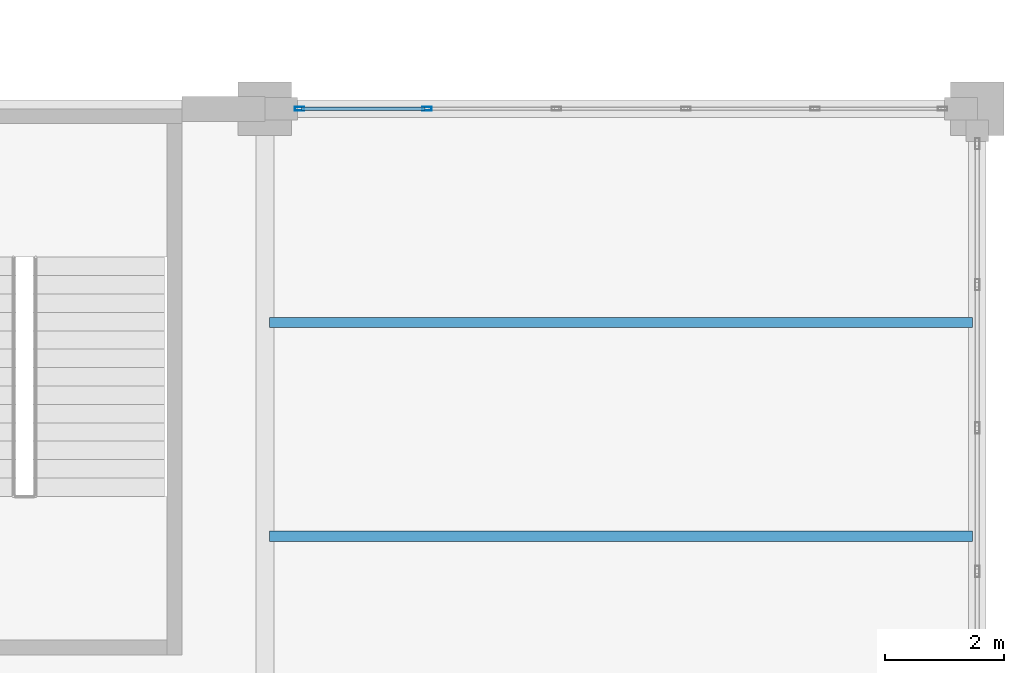
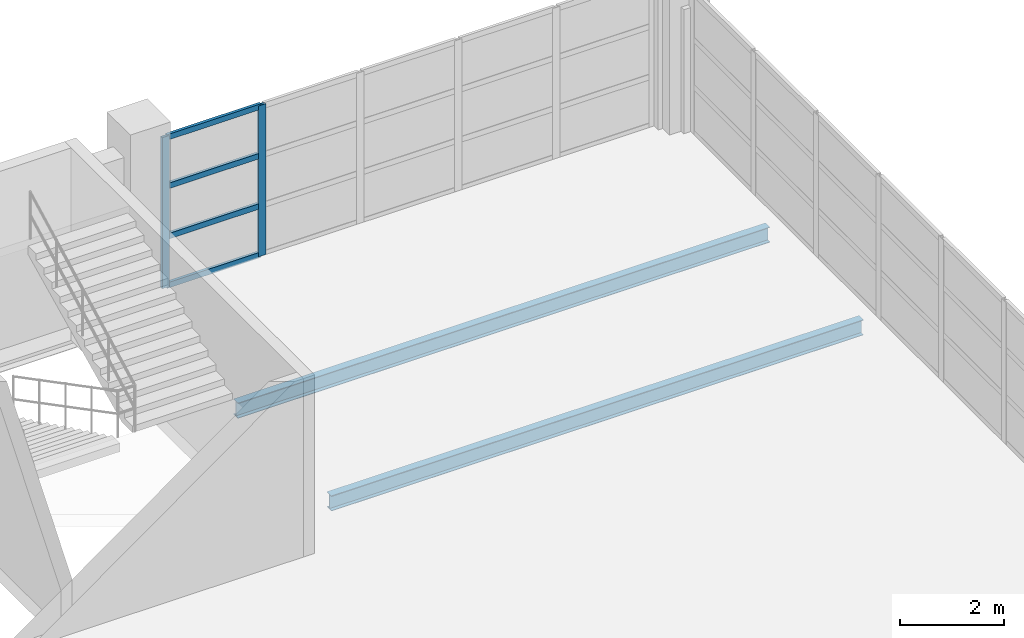
# One storey, part 122 of 158: 6 members, 2 beams, 1 element without a shape of its own.
"""IFC4 building model written with IfcOpenShell, lengths in metres."""

from ifc_helpers import new_model, si_unit, direction, frame, origin, origin_2d, place, context, subcontext, project, spatial, hollow_rectangle, i_section, extrude, material, layer, layer_set, material_profile, profile_set, type_object, element, aggregate, save


model = new_model("IFC4")

# Units and contexts
model_context = context("Model", 3, precision=1e-05, world=origin(), true_north=direction((0.0, 1.0)))
body_context = subcontext(model_context, "Body", "Model", "MODEL_VIEW")
ifc_project = project(units=[si_unit("LENGTHUNIT", "METRE"), si_unit("AREAUNIT", "SQUARE_METRE"), si_unit("VOLUMEUNIT", "CUBIC_METRE"), si_unit("PLANEANGLEUNIT", "RADIAN"), si_unit("MASSUNIT", "GRAM", prefix="KILO")], contexts=[model_context])

# Site, building, storey
site_placement = place(None, origin())
site = spatial("IfcSite", under=ifc_project, at=site_placement, CompositionType="ELEMENT")
building_placement = place(site_placement, origin())
building = spatial("IfcBuilding", under=site, at=building_placement, Name="Zilviju Railside Exhibition Hall", CompositionType="ELEMENT")
storey_placement = place(building_placement, frame((0.0, 0.0, 4.199951171875)))
storey = spatial("IfcBuildingStorey", under=building, at=storey_placement, Name="L02", CompositionType="ELEMENT", Elevation=4.199951171875)

# Beams
ifc_material_1 = material(Name="Steel S355J2", Category="steel")
ifc_material_profile_1 = material_profile(ifc_material_1, i_section(OverallWidth=0.169921875, OverallDepth=0.360107421875, WebThickness=0.008056640625, FlangeThickness=0.0126953125, at=origin_2d()), Name="IPE 360")
ifc_profile_set_1 = profile_set([ifc_material_profile_1], Name="Steel S355J2")
beam_type = type_object("IfcBeamType", Name="BM-IPE360", PredefinedType="JOIST", material=ifc_profile_set_1)
for number, where, z_axis, x_axis, name in (
    (1, (204.080078125, 130.800048828125, -0.510009765625), (1.0, 0.0, 0.0), (0.0, 1.0, 0.0), "Composite Floor Joist L02 Y=130.80 (204.0..216.0)"),
    (2, (204.080078125, 134.39990234375, -0.510009765625), (1.0, 0.0, 0.0), (0.0, 1.0, 0.0), "Composite Floor Joist L02 Y=134.40 (204.0..216.0)"),
):
    element("IfcBeam", number, at=place(storey_placement, frame(where, z_axis=z_axis, x_axis=x_axis)), inside=storey, type_object=beam_type, Name=name, PredefinedType="JOIST", context=body_context, shape_type="SweptSolid", body=[
        extrude(i_section(OverallWidth=0.169921875, OverallDepth=0.360107421875, WebThickness=0.008056640625, FlangeThickness=0.0126953125, at=origin_2d()), origin(), (0.0, 0.0, 1.0), 11.83984375),
    ])

# Curtain wall, members
ifc_material_2 = material(Name="Thermally broken aluminium-steel triple-glazed curtain wall", Category="steel")
ifc_layer = layer(ifc_material_2, 0.179931640625)
ifc_layer_set = layer_set([ifc_layer], Name="Thermally broken aluminium-steel triple-glazed curtain wall")
curtain_wall_type = type_object("IfcCurtainWallType", Name="CW-BAY-14", PredefinedType="USERDEFINED", material=ifc_layer_set)
curtain_wall_placement = place(storey_placement, origin())
curtain_wall = element("IfcCurtainWall", 3, at=curtain_wall_placement, inside=storey, type_object=curtain_wall_type, Name="North Hall Clerestory Curtain Wall L02 (204..216)", ObjectType="GLAZED CURTAIN WALL", PredefinedType="USERDEFINED")
ifc_material_3 = material(Name="Thermally broken anodized aluminium mullion", Category="aluminium")
ifc_material_profile_2 = material_profile(ifc_material_3, hollow_rectangle(XDim=0.06494140625, YDim=0.159912109375, WallThickness=0.0048828125, at=origin_2d()), Name="MULLION 160x65x5")
ifc_profile_set_2 = profile_set([ifc_material_profile_2], Name="Thermally broken anodized aluminium mullion")
member_type_1 = type_object("IfcMemberType", Name="CWM-65x160", PredefinedType="MULLION", material=ifc_profile_set_2)
member_1_placement = place(storey_placement, frame((204.58251953125, 138.0, 0.0), z_axis=(0.0, 0.0, 1.0), x_axis=(0.0, 1.0, 0.0)))
member_1 = element("IfcMember", 4, at=member_1_placement, type_object=member_type_1, Name="CW-14 mullion 1", PredefinedType="MULLION", context=body_context, shape_type="SweptSolid", body=[
    extrude(hollow_rectangle(XDim=0.06494140625, YDim=0.159912109375, WallThickness=0.0048828125, at=origin_2d()), origin(), (0.0, 0.0, 1.0), 3.550048828125),
])
member_2_placement = place(storey_placement, frame((206.72998046875, 138.0, 0.0), z_axis=(0.0, 0.0, 1.0), x_axis=(0.0, 1.0, 0.0)))
member_2 = element("IfcMember", 5, at=member_2_placement, type_object=member_type_1, Name="CW-14 mullion 2", PredefinedType="MULLION", context=body_context, shape_type="SweptSolid", body=[
    extrude(hollow_rectangle(XDim=0.06494140625, YDim=0.159912109375, WallThickness=0.0048828125, at=origin_2d()), origin(), (0.0, 0.0, 1.0), 3.550048828125),
])
ifc_material_4 = material(Name="Thermally broken anodized aluminium transom", Category="aluminium")
ifc_material_profile_3 = material_profile(ifc_material_4, hollow_rectangle(XDim=0.06494140625, YDim=0.1298828125, WallThickness=0.0048828125, at=origin_2d()), Name="TRANSOM 130x65x5")
ifc_profile_set_3 = profile_set([ifc_material_profile_3], Name="Thermally broken anodized aluminium transom")
member_type_2 = type_object("IfcMemberType", Name="CWT-65x130", PredefinedType="USERDEFINED", material=ifc_profile_set_3)
member_3_placement = place(storey_placement, frame((204.614990234375, 138.0, 0.032470703125), z_axis=(1.0, 0.0, 0.0), x_axis=(0.0, 1.0, 0.0)))
member_3 = element("IfcMember", 6, at=member_3_placement, type_object=member_type_2, Name="CW-14 transom 1.1", ObjectType="TRANSOM", PredefinedType="USERDEFINED", context=body_context, shape_type="SweptSolid", body=[
    extrude(hollow_rectangle(XDim=0.06494140625, YDim=0.1298828125, WallThickness=0.0048828125, at=origin_2d()), origin(), (0.0, 0.0, 1.0), 2.08251953125),
])
member_4_placement = place(storey_placement, frame((204.614990234375, 138.0, 1.18310546875), z_axis=(1.0, 0.0, 0.0), x_axis=(0.0, 1.0, 0.0)))
member_4 = element("IfcMember", 7, at=member_4_placement, type_object=member_type_2, Name="CW-14 transom 1.2", ObjectType="TRANSOM", PredefinedType="USERDEFINED", context=body_context, shape_type="SweptSolid", body=[
    extrude(hollow_rectangle(XDim=0.06494140625, YDim=0.1298828125, WallThickness=0.0048828125, at=origin_2d()), origin(), (0.0, 0.0, 1.0), 2.08251953125),
])
member_5_placement = place(storey_placement, frame((204.614990234375, 138.0, 2.366943359375), z_axis=(1.0, 0.0, 0.0), x_axis=(0.0, 1.0, 0.0)))
member_5 = element("IfcMember", 8, at=member_5_placement, type_object=member_type_2, Name="CW-14 transom 1.3", ObjectType="TRANSOM", PredefinedType="USERDEFINED", context=body_context, shape_type="SweptSolid", body=[
    extrude(hollow_rectangle(XDim=0.06494140625, YDim=0.1298828125, WallThickness=0.0048828125, at=origin_2d()), origin(), (0.0, 0.0, 1.0), 2.08251953125),
])
member_6_placement = place(storey_placement, frame((204.614990234375, 138.0, 3.517578125), z_axis=(1.0, 0.0, 0.0), x_axis=(0.0, 1.0, 0.0)))
member_6 = element("IfcMember", 9, at=member_6_placement, type_object=member_type_2, Name="CW-14 transom 1.4", ObjectType="TRANSOM", PredefinedType="USERDEFINED", context=body_context, shape_type="SweptSolid", body=[
    extrude(hollow_rectangle(XDim=0.06494140625, YDim=0.1298828125, WallThickness=0.0048828125, at=origin_2d()), origin(), (0.0, 0.0, 1.0), 2.08251953125),
])
aggregate(curtain_wall, [member_1, member_2, member_3, member_4, member_5, member_6])

save(model, "model.ifc")
